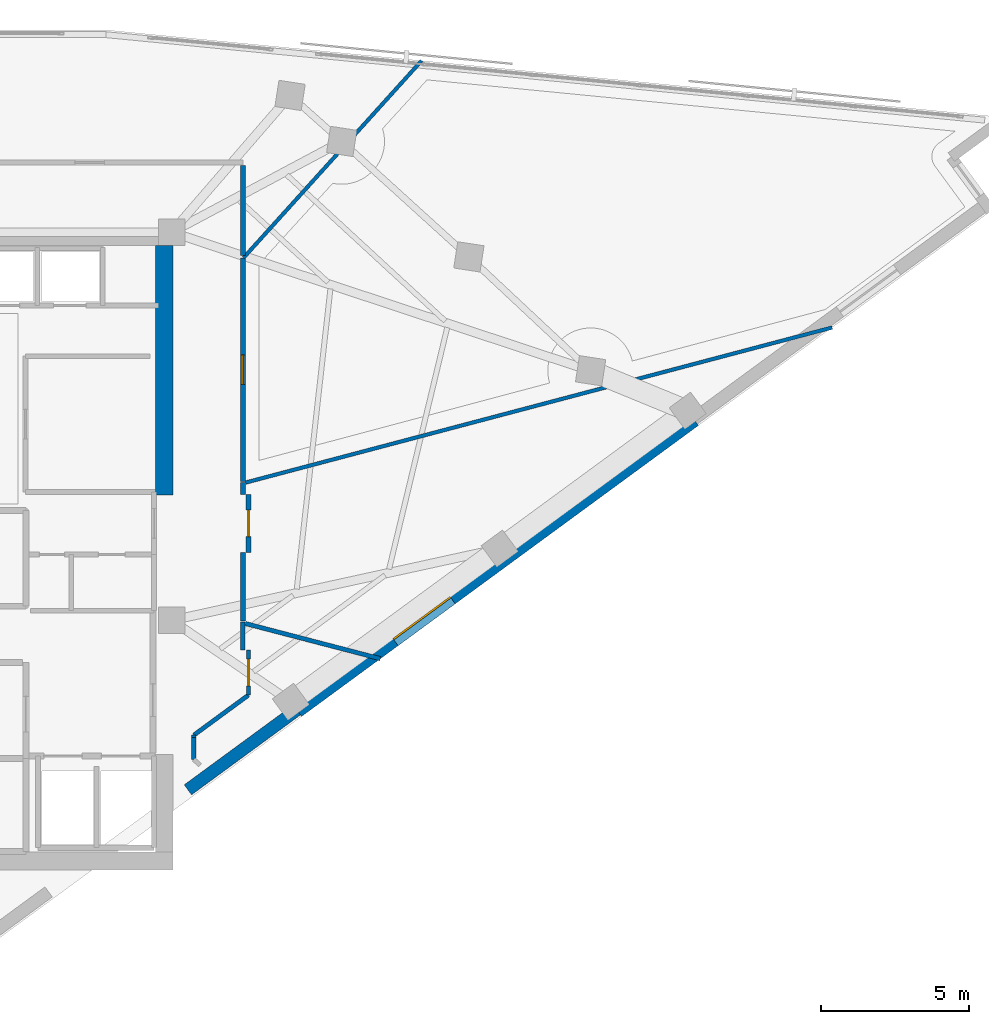
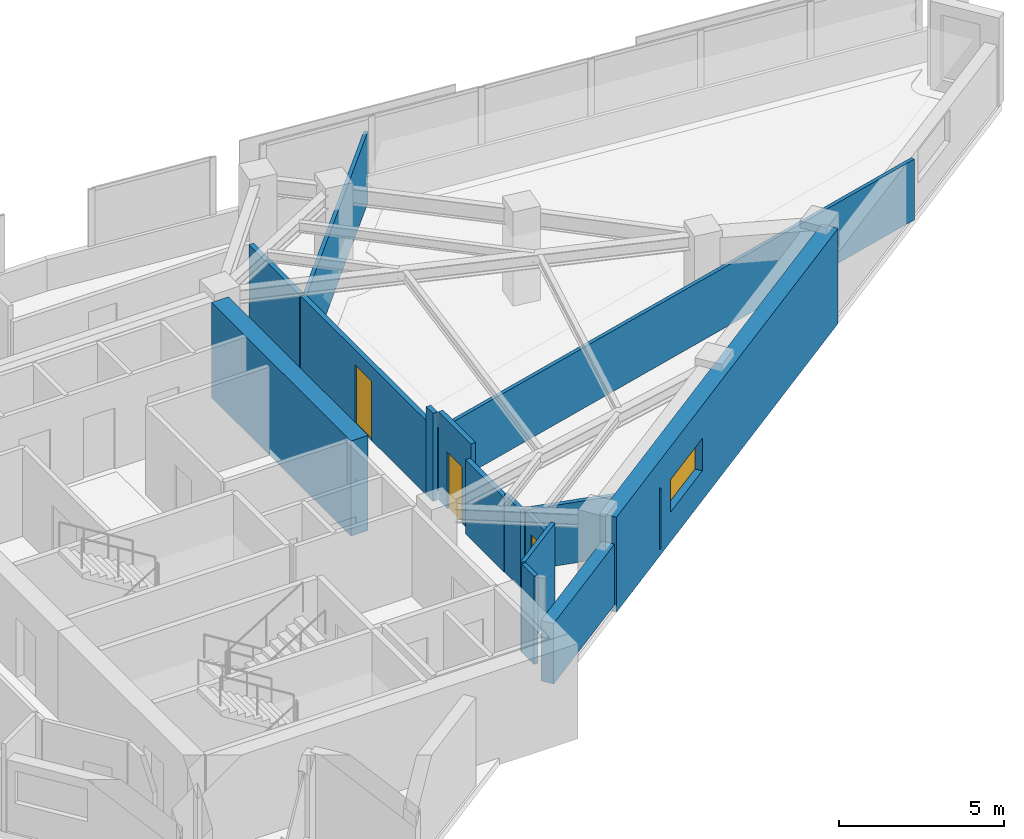
# One storey, part 10 of 13: 16 walls, 3 doors, 1 window, 4 openings.
"""IFC4 building model written with IfcOpenShell, lengths in metres."""

from ifc_helpers import new_model, si_unit, direction, frame, frame_2d, origin, place, context, subcontext, project, spatial, rectangle, extrude, material, layer, layer_set, type_object, element, fill, save


model = new_model("IFC4")

# Units and contexts
model_context = context("Model", 3, precision=1e-05, world=origin(), true_north=direction((0.0, 1.0)))
body_context = subcontext(model_context, "Body", "Model", "MODEL_VIEW")
ifc_project = project(units=[si_unit("LENGTHUNIT", "METRE"), si_unit("AREAUNIT", "SQUARE_METRE"), si_unit("VOLUMEUNIT", "CUBIC_METRE"), si_unit("PLANEANGLEUNIT", "RADIAN"), si_unit("MASSUNIT", "GRAM", prefix="KILO")], contexts=[model_context])

# Site, building, storey
site_placement = place(None, origin())
site = spatial("IfcSite", under=ifc_project, at=site_placement, CompositionType="ELEMENT")
building_placement = place(site_placement, origin())
building = spatial("IfcBuilding", under=site, at=building_placement, Name="Narakoshi Arena Tower", CompositionType="ELEMENT")
storey_placement = place(building_placement, frame((0.0, 0.0, 257.219970703125)))
storey = spatial("IfcBuildingStorey", under=building, at=storey_placement, Name="L70", CompositionType="ELEMENT", Elevation=257.219970703125)

# Walls
ifc_material_1 = material(Name="Concrete C50/60", Category="concrete")
ifc_layer_1 = layer(ifc_material_1, 0.60009765625)
ifc_layer_set_1 = layer_set([ifc_layer_1], Name="Concrete C50/60")
wall_type_1 = type_object("IfcWallType", Name="WL-CORE-600", PredefinedType="SHEAR", material=ifc_layer_set_1)
wall_1_placement = place(storey_placement, frame((85.300048828125, 47.60009765625, -0.260009765625), z_axis=(0.0, 0.0, 1.0), x_axis=(0.0, 1.0, 0.0)))
element("IfcWall", 1, at=wall_1_placement, inside=storey, type_object=wall_type_1, Name="L70 Main Core Shear Wall CW-MN-E", PredefinedType="SHEAR", context=body_context, shape_type="SweptSolid", body=[
    extrude(rectangle(XDim=8.449951171875, YDim=0.60009765625, at=frame_2d((4.22509765625, 0.0))), origin(), (0.0, 0.0, 1.0), 3.52001953125),
])
ifc_material_2 = material(Name="Gypsum plasterboard fire-rated partition")
ifc_layer_2 = layer(ifc_material_2, 0.1650390625)
ifc_layer_set_2 = layer_set([ifc_layer_2], Name="Gypsum plasterboard fire-rated partition")
wall_type_2 = type_object("IfcWallType", Name="WL-CORR-165", PredefinedType="PARTITIONING", material=ifc_layer_set_2)
wall_2_placement = place(storey_placement, frame((87.96142578125, 43.327392578125, 0.0), z_axis=(0.0, 0.0, 1.0), x_axis=(0.0, 1.0, 0.0)))
element("IfcWall", 2, at=wall_2_placement, inside=storey, type_object=wall_type_2, Name="L70 Corridor Partition 04-1", PredefinedType="PARTITIONING", context=body_context, shape_type="SweptSolid", body=[
    extrude(rectangle(XDim=2.322509765625, YDim=0.1650390625, at=frame_2d((1.1611328125, 0.0))), origin(), (0.0, 0.0, 1.0), 2.7451171875),
])

# Wall, opening, door
wall_3_placement = place(storey_placement, frame((88.14990234375, 45.64990234375, 0.0), z_axis=(0.0, 0.0, 1.0), x_axis=(0.0, 1.0, 0.0)))
wall_3 = element("IfcWall", 3, at=wall_3_placement, inside=storey, type_object=wall_type_2, Name="L70 Corridor Partition 04-2", PredefinedType="PARTITIONING", context=body_context, shape_type="SweptSolid", body=[
    extrude(rectangle(XDim=1.97021484375, YDim=0.1650390625, at=frame_2d((0.985107421875, 0.0))), origin(), (0.0, 0.0, 1.0), 3.260009765625),
])
opening_1_placement = place(wall_3_placement, frame((0.534912109375, 0.0, 0.0)))
opening_1 = element("IfcOpeningElement", 4, at=opening_1_placement, cuts=wall_3, Name="Opening D-08", PredefinedType="OPENING", context=body_context, shape_type="SweptSolid", body=[
    extrude(rectangle(XDim=0.89990234375, YDim=2.10009765625, at=frame_2d((0.449951171875, 1.050048828125))), frame((0.0, 0.092529296875, 0.0), z_axis=(0.0, -1.0, 0.0), x_axis=(1.0, 0.0, 0.0)), (0.0, 0.0, 1.0), 0.18505859375),
])
ifc_material_3 = material(Name="Moisture-resistant laminate timber", Category="wood")
door_type_1 = type_object("IfcDoorType", Name="DR-WC-900", OperationType="NOTDEFINED", PredefinedType="DOOR", material=ifc_material_3)
door_1_placement = place(opening_1_placement, frame((0.89990234375, 0.0, 0.0), z_axis=(0.0, 0.0, 1.0), x_axis=(-1.0, 0.0, 0.0)))
door_1 = element("IfcDoor", 5, at=door_1_placement, inside=storey, type_object=door_type_1, Name="DR-L70-018", OperationType="SINGLE_SWING_LEFT", OverallHeight=2.10009765625, OverallWidth=0.89990234375, PredefinedType="DOOR", context=body_context, shape_type="SweptSolid", body=[
    extrude(rectangle(XDim=0.89990234375, YDim=2.10009765625, at=frame_2d((0.449951171875, 1.050048828125))), frame((0.0, 0.02490234375, 0.0), z_axis=(0.0, -1.0, 0.0), x_axis=(1.0, 0.0, 0.0)), (0.0, 0.0, 1.0), 0.050048828125),
])
fill(opening_1, door_1)

# Wall
wall_4_placement = place(storey_placement, frame((87.96142578125, 47.6201171875, 0.0), z_axis=(0.0, 0.0, 1.0), x_axis=(0.0, 1.0, 0.0)))
element("IfcWall", 6, at=wall_4_placement, inside=storey, type_object=wall_type_2, Name="L70 Corridor Partition 04-3", PredefinedType="PARTITIONING", context=body_context, shape_type="SweptSolid", body=[
    extrude(rectangle(XDim=0.408935546875, YDim=0.1650390625, at=frame_2d((0.20458984375, 0.0))), origin(), (0.0, 0.0, 1.0), 3.260009765625),
])

# Wall, opening, door
wall_5_placement = place(storey_placement, frame((87.96142578125, 48.053955078125, 0.0), z_axis=(0.0, 0.0, 1.0), x_axis=(0.0, 1.0, 0.0)))
wall_5 = element("IfcWall", 7, at=wall_5_placement, inside=storey, type_object=wall_type_2, Name="L70 Corridor Partition 05-1", PredefinedType="PARTITIONING", context=body_context, shape_type="SweptSolid", body=[
    extrude(rectangle(XDim=7.578857421875, YDim=0.1650390625, at=frame_2d((3.78955078125, 0.0))), origin(), (0.0, 0.0, 1.0), 2.7451171875),
])
opening_2_placement = place(wall_5_placement, frame((3.289306640625, 0.0, 0.0)))
opening_2 = element("IfcOpeningElement", 8, at=opening_2_placement, cuts=wall_5, Name="Opening D-06", PredefinedType="OPENING", context=body_context, shape_type="SweptSolid", body=[
    extrude(rectangle(XDim=1.0, YDim=2.199951171875, at=frame_2d((0.5, 1.10009765625))), frame((0.0, 0.092529296875, 0.0), z_axis=(0.0, -1.0, 0.0), x_axis=(1.0, 0.0, 0.0)), (0.0, 0.0, 1.0), 0.18505859375),
])
ifc_material_4 = material(Name="Stained oak solid-core timber", Category="wood")
door_type_2 = type_object("IfcDoorType", Name="DR-OFF-1000", OperationType="NOTDEFINED", PredefinedType="DOOR", material=ifc_material_4)
door_2_placement = place(opening_2_placement, frame((1.0, 0.0, 0.0), z_axis=(0.0, 0.0, 1.0), x_axis=(-1.0, 0.0, 0.0)))
door_2 = element("IfcDoor", 9, at=door_2_placement, inside=storey, type_object=door_type_2, Name="DR-L70-019", OperationType="SINGLE_SWING_RIGHT", OverallHeight=2.199951171875, OverallWidth=1.0, PredefinedType="DOOR", context=body_context, shape_type="SweptSolid", body=[
    extrude(rectangle(XDim=1.0, YDim=2.199951171875, at=frame_2d((0.5, 1.10009765625))), frame((0.0, 0.02490234375, 0.0), z_axis=(0.0, -1.0, 0.0), x_axis=(1.0, 0.0, 0.0)), (0.0, 0.0, 1.0), 0.050048828125),
])
fill(opening_2, door_2)

# Wall
wall_6_placement = place(storey_placement, frame((87.96142578125, 55.719482421875, 0.0), z_axis=(0.0, 0.0, 1.0), x_axis=(0.0, 1.0, 0.0)))
element("IfcWall", 10, at=wall_6_placement, inside=storey, type_object=wall_type_2, Name="L70 Corridor Partition 06-3", PredefinedType="PARTITIONING", context=body_context, shape_type="SweptSolid", body=[
    extrude(rectangle(XDim=3.04736328125, YDim=0.1650390625, at=frame_2d((1.523681640625, 0.0))), origin(), (0.0, 0.0, 1.0), 2.7451171875),
])

# Wall, opening, window
ifc_layer_3 = layer(ifc_material_1, 0.550048828125)
ifc_layer_set_3 = layer_set([ifc_layer_3], Name="Concrete C50/60")
wall_type_3 = type_object("IfcWallType", Name="WL-LEG-550", PredefinedType="SHEAR", material=ifc_layer_set_3)
wall_7_placement = place(storey_placement, frame((89.79052734375, 40.31640625, -0.260009765625), z_axis=(0.0, 0.0, 1.0), x_axis=(0.806449218078, 0.591303355868, 0.0)))
wall_7 = element("IfcWall", 11, at=wall_7_placement, inside=storey, type_object=wall_type_3, Name="L70 Architectural Concrete Structural Wall LEGA-3", PredefinedType="SHEAR", context=body_context, shape_type="SweptSolid", body=[
    extrude(rectangle(XDim=16.673095703125, YDim=0.550048828125, at=frame_2d((8.33642578125, 0.0))), origin(), (0.0, 0.0, 1.0), 3.52001953125),
])
opening_3_placement = place(wall_7_placement, frame((4.0537109375, 0.0, 1.10009765625)))
opening_3 = element("IfcOpeningElement", 12, at=opening_3_placement, cuts=wall_7, Name="Opening WN-04", PredefinedType="OPENING", context=body_context, shape_type="SweptSolid", body=[
    extrude(rectangle(XDim=2.39990234375, YDim=1.199951171875, at=frame_2d((1.199951171875, 0.60009765625))), frame((0.0, 0.284912109375, 0.0), z_axis=(0.0, -1.0, 0.0), x_axis=(1.0, 0.0, 0.0)), (0.0, 0.0, 1.0), 0.570068359375),
])
ifc_material_5 = material(Name="Bronze-tinted low-E laminated glass", Category="glass")
window_type = type_object("IfcWindowType", Name="WIN-SLT-24x12", PartitioningType="SINGLE_PANEL", PredefinedType="WINDOW", material=ifc_material_5)
window_placement = place(opening_3_placement, origin())
window = element("IfcWindow", 13, at=window_placement, inside=storey, type_object=window_type, Name="L70 LEGA3 Horizontal Slot Window 1", OverallHeight=1.199951171875, OverallWidth=2.39990234375, PartitioningType="SINGLE_PANEL", PredefinedType="WINDOW", context=body_context, shape_type="SweptSolid", body=[
    extrude(rectangle(XDim=2.39990234375, YDim=1.199951171875, at=frame_2d((1.199951171875, 0.60009765625))), frame((0.0, 0.030029296875, 0.0), z_axis=(0.0, -1.0, 0.0), x_axis=(1.0, 0.0, 0.0)), (0.0, 0.0, 1.0), 0.06005859375),
])
fill(opening_3, window)

# Walls
ifc_layer_4 = layer(ifc_material_2, 0.125)
ifc_layer_set_4 = layer_set([ifc_layer_4], Name="Gypsum plasterboard fire-rated partition")
wall_type_4 = type_object("IfcWallType", Name="WL-PART-125", PredefinedType="PARTITIONING", material=ifc_layer_set_4)
wall_8_placement = place(storey_placement, frame((88.055908203125, 48.01904296875, 0.0), z_axis=(0.0, 0.0, 1.0), x_axis=(0.966777527781, 0.25561927114, 0.0)))
element("IfcWall", 14, at=wall_8_placement, inside=storey, type_object=wall_type_4, Name="L70 Inter-Room Partition 04-05", PredefinedType="PARTITIONING", context=body_context, shape_type="SweptSolid", body=[
    extrude(rectangle(XDim=20.552734375, YDim=0.125, at=frame_2d((10.2763671875, 0.0))), origin(), (0.0, 0.0, 1.0), 2.2451171875),
])
wall_9_placement = place(storey_placement, frame((87.9833984375, 55.6328125, 0.0), z_axis=(0.0, 0.0, 1.0), x_axis=(0.67036285061, 0.742033455123, 0.0)))
element("IfcWall", 15, at=wall_9_placement, inside=storey, type_object=wall_type_4, Name="L70 Inter-Room Partition 05-06", PredefinedType="PARTITIONING", context=body_context, shape_type="SweptSolid", body=[
    extrude(rectangle(XDim=9.003173828125, YDim=0.125, at=frame_2d((4.50146484375, 0.0))), origin(), (0.0, 0.0, 1.0), 2.64501953125),
])
ifc_material_6 = material(Name="Precast concrete C45/55", Category="concrete")
ifc_layer_5 = layer(ifc_material_6, 0.419921875)
ifc_layer_set_5 = layer_set([ifc_layer_5], Name="Precast concrete C45/55")
wall_type_5 = type_object("IfcWallType", Name="WL-POD-420", PredefinedType="SOLIDWALL", material=ifc_layer_set_5)
wall_10_placement = place(storey_placement, frame((86.10009765625, 37.6103515625, 0.0), z_axis=(0.0, 0.0, 1.0), x_axis=(0.806432132361, 0.591326657521, 0.0)))
element("IfcWall", 16, at=wall_10_placement, inside=storey, type_object=wall_type_5, Name="L70 Architectural Concrete Facade Wall LEGA-2", PredefinedType="SOLIDWALL", context=body_context, shape_type="SweptSolid", body=[
    extrude(rectangle(XDim=4.576171875, YDim=0.419921875, at=frame_2d((2.2880859375, 0.0))), origin(), (0.0, 0.0, 1.0), 2.2451171875),
])
ifc_material_7 = material(Name="Moisture-resistant cement-board partition")
ifc_layer_6 = layer(ifc_material_7, 0.14501953125)
ifc_layer_set_6 = layer_set([ifc_layer_6], Name="Moisture-resistant cement-board partition")
wall_type_6 = type_object("IfcWallType", Name="WL-WET-145", PredefinedType="PARTITIONING", material=ifc_layer_set_6)
wall_11_placement = place(storey_placement, frame((86.300048828125, 39.4619140625, 0.0), z_axis=(0.0, 0.0, 1.0), x_axis=(0.80642868075, 0.591331364689, 0.0)))
element("IfcWall", 17, at=wall_11_placement, inside=storey, type_object=wall_type_6, Name="L70 Corridor Partition 03-1", PredefinedType="PARTITIONING", context=body_context, shape_type="SweptSolid", body=[
    extrude(rectangle(XDim=2.2939453125, YDim=0.14501953125, at=frame_2d((1.14697265625, 0.0))), origin(), (0.0, 0.0, 1.0), 3.260009765625),
])

# Wall, opening, door
wall_12_placement = place(storey_placement, frame((88.14990234375, 40.818359375, 0.0), z_axis=(0.0, 0.0, 1.0), x_axis=(0.0, 1.0, 0.0)))
wall_12 = element("IfcWall", 18, at=wall_12_placement, inside=storey, type_object=wall_type_6, Name="L70 Corridor Partition 03-2", PredefinedType="PARTITIONING", context=body_context, shape_type="SweptSolid", body=[
    extrude(rectangle(XDim=1.53173828125, YDim=0.14501953125, at=frame_2d((0.765869140625, 0.0))), origin(), (0.0, 0.0, 1.0), 2.7451171875),
])
opening_4_placement = place(wall_12_placement, frame((0.31591796875, 0.0, 0.0)))
opening_4 = element("IfcOpeningElement", 19, at=opening_4_placement, cuts=wall_12, Name="Opening D-08", PredefinedType="OPENING", context=body_context, shape_type="SweptSolid", body=[
    extrude(rectangle(XDim=0.89990234375, YDim=2.10009765625, at=frame_2d((0.449951171875, 1.050048828125))), frame((0.0, 0.08251953125, 0.0), z_axis=(0.0, -1.0, 0.0), x_axis=(1.0, 0.0, 0.0)), (0.0, 0.0, 1.0), 0.1650390625),
])
door_3_placement = place(opening_4_placement, frame((0.89990234375, 0.0, 0.0), z_axis=(0.0, 0.0, 1.0), x_axis=(-1.0, 0.0, 0.0)))
door_3 = element("IfcDoor", 20, at=door_3_placement, inside=storey, type_object=door_type_1, Name="DR-L70-017", OperationType="SINGLE_SWING_RIGHT", OverallHeight=2.10009765625, OverallWidth=0.89990234375, PredefinedType="DOOR", context=body_context, shape_type="SweptSolid", body=[
    extrude(rectangle(XDim=0.89990234375, YDim=2.10009765625, at=frame_2d((0.449951171875, 1.050048828125))), frame((0.0, 0.02490234375, 0.0), z_axis=(0.0, -1.0, 0.0), x_axis=(1.0, 0.0, 0.0)), (0.0, 0.0, 1.0), 0.050048828125),
])
fill(opening_4, door_3)

# Walls
wall_13_placement = place(storey_placement, frame((87.96142578125, 42.35009765625, 0.0), z_axis=(0.0, 0.0, 1.0), x_axis=(0.0, 1.0, 0.0)))
element("IfcWall", 21, at=wall_13_placement, inside=storey, type_object=wall_type_6, Name="L70 Corridor Partition 03-3", PredefinedType="PARTITIONING", context=body_context, shape_type="SweptSolid", body=[
    extrude(rectangle(XDim=0.95263671875, YDim=0.14501953125, at=frame_2d((0.476318359375, 0.0))), origin(), (0.0, 0.0, 1.0), 2.885009765625),
])
wall_14_placement = place(storey_placement, frame((86.300048828125, 39.3876953125, 0.0), z_axis=(0.0, 0.0, 1.0), x_axis=(0.0, 1.0, 0.0)))
element("IfcWall", 22, at=wall_14_placement, inside=storey, type_object=wall_type_6, Name="L70 Corridor Partition 03-4", PredefinedType="PARTITIONING", context=body_context, shape_type="SweptSolid", body=[
    extrude(rectangle(XDim=0.07421875, YDim=0.14501953125, at=frame_2d((0.037109375, 0.0))), origin(), (0.0, 0.0, 1.0), 3.260009765625),
])
wall_15_placement = place(storey_placement, frame((88.0458984375, 43.24365234375, 0.0), z_axis=(0.0, 0.0, 1.0), x_axis=(0.967651260869, -0.252291572071, 0.0)))
element("IfcWall", 23, at=wall_15_placement, inside=storey, type_object=wall_type_6, Name="L70 Inter-Room Partition 03-04", PredefinedType="PARTITIONING", context=body_context, shape_type="SweptSolid", body=[
    extrude(rectangle(XDim=4.72802734375, YDim=0.14501953125, at=frame_2d((2.364013671875, 0.0))), origin(), (0.0, 0.0, 1.0), 2.2451171875),
])
wall_16_placement = place(storey_placement, frame((86.300048828125, 38.63916015625, 0.0), z_axis=(0.0, 0.0, 1.0), x_axis=(0.0, 1.0, 0.0)))
element("IfcWall", 24, at=wall_16_placement, inside=storey, type_object=wall_type_6, Name="L70 Room Enclosure Partition 03-2", PredefinedType="PARTITIONING", context=body_context, shape_type="SweptSolid", body=[
    extrude(rectangle(XDim=0.74853515625, YDim=0.14501953125, at=frame_2d((0.374267578125, 0.0))), origin(), (0.0, 0.0, 1.0), 3.260009765625),
])

save(model, "model.ifc")
